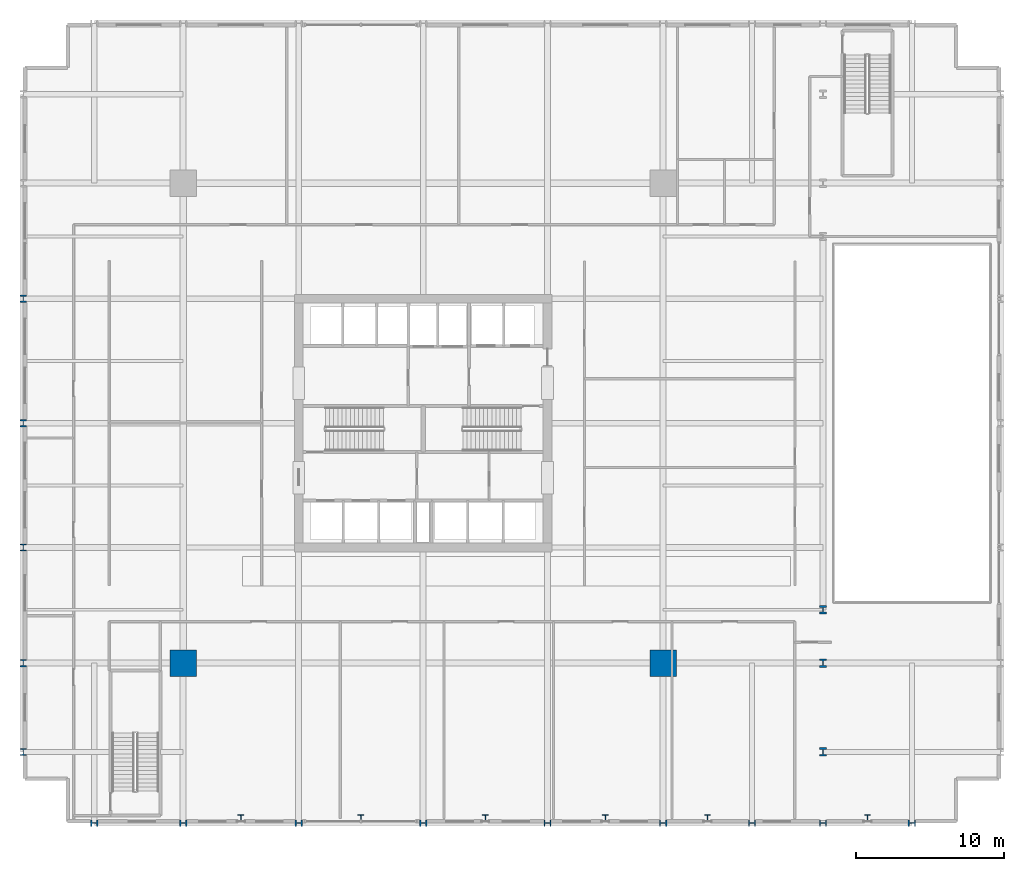
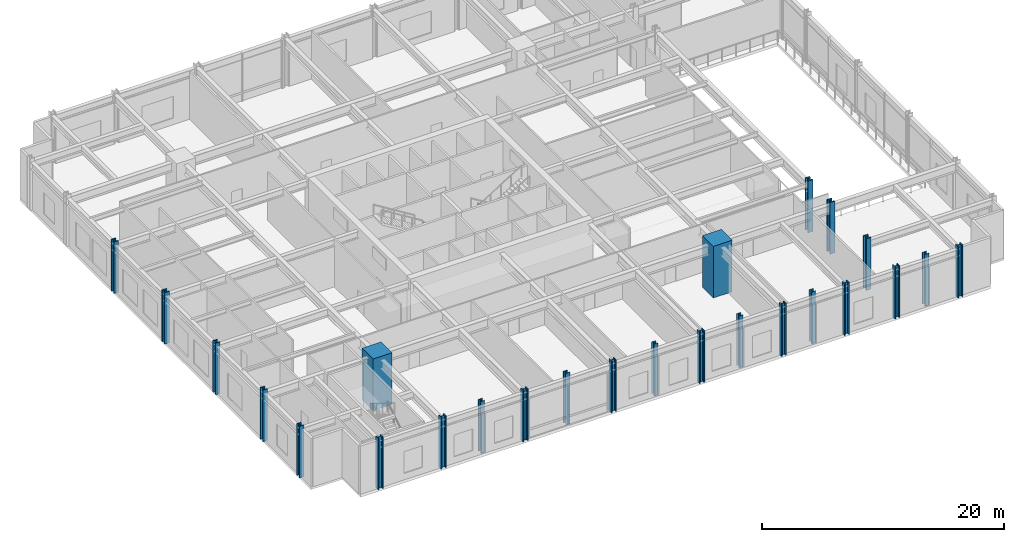
# One storey, part 1 of 21: 25 columns.
"""IFC4 building model written with IfcOpenShell, lengths in metres."""

from ifc_helpers import new_model, si_unit, direction, frame, origin, origin_2d, place, context, subcontext, project, spatial, rectangle, i_section, extrude, material, material_profile, profile_set, type_object, element, save


model = new_model("IFC4")

# Units and contexts
model_context = context("Model", 3, precision=1e-05, world=origin(), true_north=direction((0.0, 1.0)))
body_context = subcontext(model_context, "Body", "Model", "MODEL_VIEW")
ifc_project = project(units=[si_unit("LENGTHUNIT", "METRE"), si_unit("AREAUNIT", "SQUARE_METRE"), si_unit("VOLUMEUNIT", "CUBIC_METRE"), si_unit("PLANEANGLEUNIT", "RADIAN"), si_unit("MASSUNIT", "GRAM", prefix="KILO")], contexts=[model_context])

# Site, building, storey
site_placement = place(None, origin())
site = spatial("IfcSite", under=ifc_project, at=site_placement, CompositionType="ELEMENT")
building_placement = place(site_placement, origin())
building = spatial("IfcBuilding", under=site, at=building_placement, Name="Drelvath Grand Hotel", CompositionType="ELEMENT")
storey_placement = place(building_placement, frame((0.0, 0.0, 22.39990234375)))
storey = spatial("IfcBuildingStorey", under=building, at=storey_placement, Name="L04", CompositionType="ELEMENT", Elevation=22.39990234375)

# Columns
ifc_material_1 = material(Name="Steel ASTM A913 Gr 65", Category="steel")
ifc_material_profile_1 = material_profile(ifc_material_1, i_section(OverallWidth=0.4013671875, OverallDepth=0.3994140625, WebThickness=0.02490234375, FlangeThickness=0.03955078125, FilletRadius=0.02490234375, at=origin_2d()), Name="W14X211")
ifc_profile_set_1 = profile_set([ifc_material_profile_1], Name="Steel ASTM A913 Gr 65")
column_type_1 = type_object("IfcColumnType", Name="Colonnade Steel Pilaster W14X211", PredefinedType="COLUMN", material=ifc_profile_set_1)
for number, where, z_axis, x_axis, name in (
    (1, (-12.300048828125, 0.35009765625, 0.0), (0.0, 0.0, 1.0), (1.0, 0.0, 0.0), "L04 Colonnade Pilaster PIL-S1"),
    (2, (-4.199951171875, 0.35009765625, 0.0), (0.0, 0.0, 1.0), (1.0, 0.0, 0.0), "L04 Colonnade Pilaster PIL-S2"),
    (3, (4.199951171875, 0.35009765625, 0.0), (0.0, 0.0, 1.0), (1.0, 0.0, 0.0), "L04 Colonnade Pilaster PIL-S3"),
    (4, (12.300048828125, 0.35009765625, 0.0), (0.0, 0.0, 1.0), (1.0, 0.0, 0.0), "L04 Colonnade Pilaster PIL-S4"),
    (5, (19.199951171875, 0.35009765625, 0.0), (0.0, 0.0, 1.0), (1.0, 0.0, 0.0), "L04 Colonnade Pilaster PIL-S5"),
    (6, (30.0, 0.35009765625, 0.0), (0.0, 0.0, 1.0), (1.0, 0.0, 0.0), "L04 Colonnade Pilaster PIL-S6"),
):
    element("IfcColumn", number, at=place(storey_placement, frame(where, z_axis=z_axis, x_axis=x_axis)), inside=storey, type_object=column_type_1, Name=name, PredefinedType="COLUMN", context=body_context, shape_type="SweptSolid", body=[
        extrude(i_section(OverallWidth=0.4013671875, OverallDepth=0.3994140625, WebThickness=0.02490234375, FlangeThickness=0.03955078125, FilletRadius=0.02490234375, at=origin_2d()), origin(), (0.0, 0.0, 1.0), 5.2001953125),
    ])
ifc_material_2 = material(Name="Concrete f'c 70 MPa", Category="concrete")
ifc_material_profile_2 = material_profile(ifc_material_2, rectangle(XDim=1.800048828125, YDim=1.800048828125, at=origin_2d()), Name="MC1800X1800")
ifc_profile_set_2 = profile_set([ifc_material_profile_2], Name="Concrete f'c 70 MPa")
column_type_2 = type_object("IfcColumnType", Name="Composite Mega Column MC1800X1800", PredefinedType="COLUMN", material=ifc_profile_set_2)
for number, where, z_axis, x_axis, name in (
    (7, (-16.199951171875, 10.800048828125, 0.0), (0.0, 0.0, 1.0), (1.0, 0.0, 0.0), "L04 Composite Mega Column MC-SW"),
    (8, (16.199951171875, 10.800048828125, 0.0), (0.0, 0.0, 1.0), (1.0, 0.0, 0.0), "L04 Composite Mega Column MC-SE"),
):
    element("IfcColumn", number, at=place(storey_placement, frame(where, z_axis=z_axis, x_axis=x_axis)), inside=storey, type_object=column_type_2, Name=name, PredefinedType="COLUMN", context=body_context, shape_type="SweptSolid", body=[
        extrude(rectangle(XDim=1.800048828125, YDim=1.800048828125, at=origin_2d()), origin(), (0.0, 0.0, 1.0), 5.2001953125),
    ])
ifc_material_profile_3 = material_profile(ifc_material_1, i_section(OverallWidth=0.43212890625, OverallDepth=0.497802734375, WebThickness=0.0556640625, FlangeThickness=0.0888671875, FilletRadius=0.030029296875, at=origin_2d()), Name="W14X500")
ifc_profile_set_3 = profile_set([ifc_material_profile_3], Name="Steel ASTM A913 Gr 65")
column_type_3 = type_object("IfcColumnType", Name="Perimeter Steel Column W14X500", PredefinedType="COLUMN", material=ifc_profile_set_3)
for number, where, z_axis, x_axis, name in (
    (9, (-27.0, 4.800048828125, 0.0), (0.0, 0.0, 1.0), (1.0, 0.0, 0.0), "L04 Structural Column PCW-B"),
    (10, (-27.0, 10.800048828125, 0.0), (0.0, 0.0, 1.0), (1.0, 0.0, 0.0), "L04 Structural Column PCW-C"),
    (11, (-27.0, 18.60009765625, 0.0), (0.0, 0.0, 1.0), (1.0, 0.0, 0.0), "L04 Structural Column PCW-D"),
    (12, (-27.0, 27.0, 0.0), (0.0, 0.0, 1.0), (1.0, 0.0, 0.0), "L04 Structural Column PCW-E"),
    (13, (-27.0, 35.39990234375, 0.0), (0.0, 0.0, 1.0), (1.0, 0.0, 0.0), "L04 Structural Column PCW-F"),
    (14, (-22.199951171875, 0.0, 0.0), (0.0, 0.0, 1.0), (0.0, 1.0, 0.0), "L04 Structural Column PCS-2"),
    (15, (-16.199951171875, 0.0, 0.0), (0.0, 0.0, 1.0), (0.0, 1.0, 0.0), "L04 Structural Column PCS-3"),
    (16, (-8.39990234375, 0.0, 0.0), (0.0, 0.0, 1.0), (0.0, 1.0, 0.0), "L04 Structural Column PCS-4"),
    (17, (0.0, 0.0, 0.0), (0.0, 0.0, 1.0), (0.0, 1.0, 0.0), "L04 Structural Column PCS-5"),
    (18, (8.39990234375, 0.0, 0.0), (0.0, 0.0, 1.0), (0.0, 1.0, 0.0), "L04 Structural Column PCS-6"),
    (19, (16.199951171875, 0.0, 0.0), (0.0, 0.0, 1.0), (0.0, 1.0, 0.0), "L04 Structural Column PCS-7"),
    (20, (22.199951171875, 0.0, 0.0), (0.0, 0.0, 1.0), (0.0, 1.0, 0.0), "L04 Structural Column PCS-8"),
    (21, (27.0, 0.0, 0.0), (0.0, 0.0, 1.0), (0.0, 1.0, 0.0), "L04 Structural Column PCS-9"),
    (22, (33.0, 0.0, 0.0), (0.0, 0.0, 1.0), (0.0, 1.0, 0.0), "L04 Structural Column PCS-10"),
):
    element("IfcColumn", number, at=place(storey_placement, frame(where, z_axis=z_axis, x_axis=x_axis)), inside=storey, type_object=column_type_3, Name=name, PredefinedType="COLUMN", context=body_context, shape_type="SweptSolid", body=[
        extrude(i_section(OverallWidth=0.43212890625, OverallDepth=0.497802734375, WebThickness=0.0556640625, FlangeThickness=0.0888671875, FilletRadius=0.030029296875, at=origin_2d()), origin(), (0.0, 0.0, 1.0), 5.2001953125),
    ])
ifc_material_profile_4 = material_profile(ifc_material_1, i_section(OverallWidth=0.454345703125, OverallDepth=0.569091796875, WebThickness=0.077880859375, FlangeThickness=0.124755859375, FilletRadius=0.030029296875, at=origin_2d()), Name="W14X730")
ifc_profile_set_4 = profile_set([ifc_material_profile_4], Name="Steel ASTM A913 Gr 65")
column_type_4 = type_object("IfcColumnType", Name="Perimeter Steel Column W14X730", PredefinedType="COLUMN", material=ifc_profile_set_4)
for number, where, z_axis, x_axis, name in (
    (23, (27.0, 4.800048828125, 0.0), (0.0, 0.0, 1.0), (1.0, 0.0, 0.0), "L04 Structural Column PCP9-B"),
    (24, (27.0, 10.800048828125, 0.0), (0.0, 0.0, 1.0), (1.0, 0.0, 0.0), "L04 Structural Column PCP9-C"),
    (25, (27.0, 14.39990234375, 0.0), (0.0, 0.0, 1.0), (1.0, 0.0, 0.0), "L04 Structural Column PCP9-AT1"),
):
    element("IfcColumn", number, at=place(storey_placement, frame(where, z_axis=z_axis, x_axis=x_axis)), inside=storey, type_object=column_type_4, Name=name, PredefinedType="COLUMN", context=body_context, shape_type="SweptSolid", body=[
        extrude(i_section(OverallWidth=0.454345703125, OverallDepth=0.569091796875, WebThickness=0.077880859375, FlangeThickness=0.124755859375, FilletRadius=0.030029296875, at=origin_2d()), origin(), (0.0, 0.0, 1.0), 5.2001953125),
    ])

save(model, "model.ifc")
